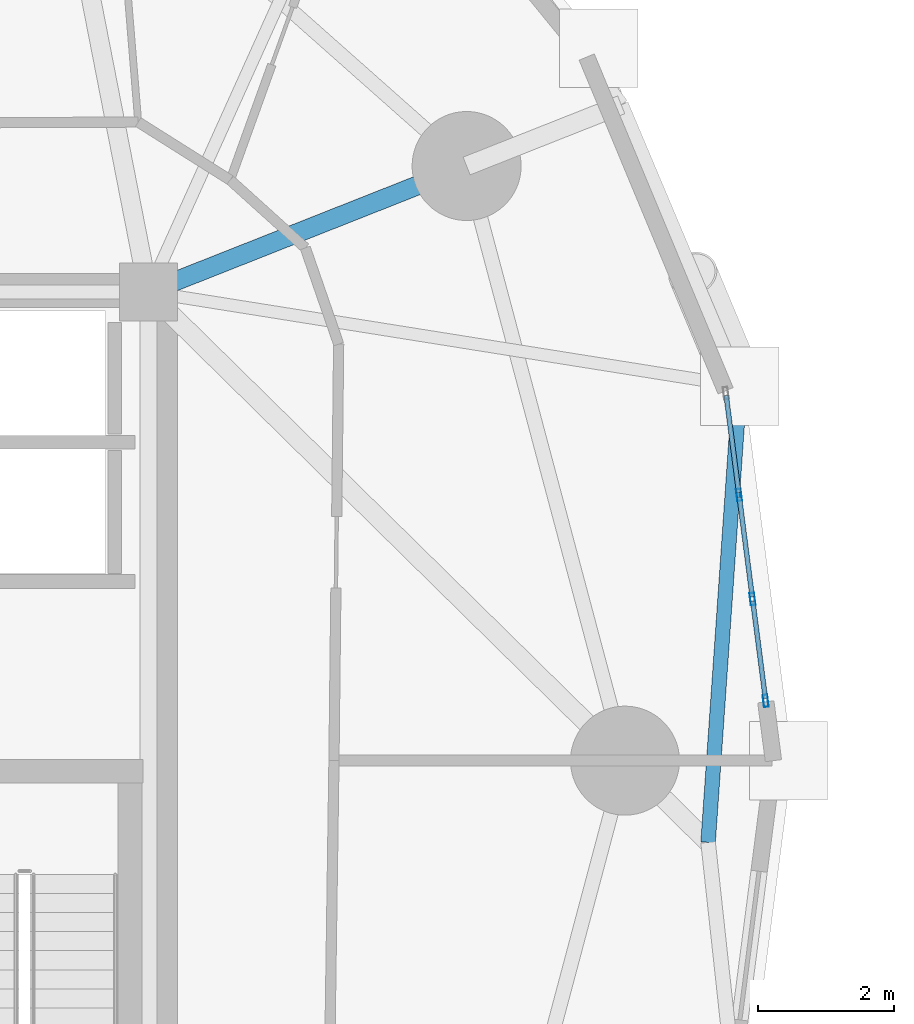
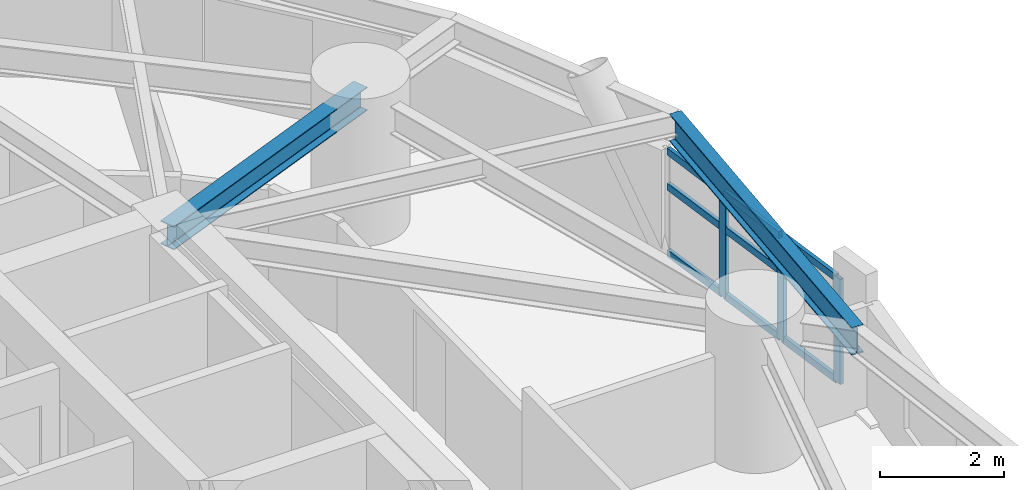
# One storey, part 3 of 18: 12 members, 2 beams, 1 element without a shape of its own.
"""IFC4 building model written with IfcOpenShell, lengths in metres."""

from ifc_helpers import new_model, si_unit, direction, frame, origin, origin_2d, place, context, subcontext, project, spatial, hollow_rectangle, i_section, extrude, material, layer, layer_set, material_profile, profile_set, type_object, element, aggregate, save


model = new_model("IFC4")

# Units and contexts
model_context = context("Model", 3, precision=1e-05, world=origin(), true_north=direction((0.0, 1.0)))
body_context = subcontext(model_context, "Body", "Model", "MODEL_VIEW")
ifc_project = project(units=[si_unit("LENGTHUNIT", "METRE"), si_unit("AREAUNIT", "SQUARE_METRE"), si_unit("VOLUMEUNIT", "CUBIC_METRE"), si_unit("PLANEANGLEUNIT", "RADIAN"), si_unit("MASSUNIT", "GRAM", prefix="KILO")], contexts=[model_context])

# Site, building, storey
site_placement = place(None, origin())
site = spatial("IfcSite", under=ifc_project, at=site_placement, CompositionType="ELEMENT")
building_placement = place(site_placement, origin())
building = spatial("IfcBuilding", under=site, at=building_placement, Name="Cununo Teusaquillo Station Towers", CompositionType="ELEMENT")
storey_placement = place(building_placement, frame((0.0, 0.0, 22.0)))
storey = spatial("IfcBuildingStorey", under=building, at=storey_placement, Name="L05", CompositionType="ELEMENT", Elevation=22.0)

# Beams
ifc_material_1 = material(Name="Steel ASTM A572 Grade 50", Category="steel")
ifc_material_profile_1 = material_profile(ifc_material_1, i_section(OverallWidth=0.280029296875, OverallDepth=0.462890625, WebThickness=0.0107421875, FlangeThickness=0.017333984375, FilletRadius=0.013916015625, at=origin_2d()), Name="W18X76")
ifc_profile_set_1 = profile_set([ifc_material_profile_1], Name="Steel ASTM A572 Grade 50")
beam_type_1 = type_object("IfcBeamType", Name="BM-RAD-G1", PredefinedType="BEAM", material=ifc_profile_set_1)
beam_1_placement = place(storey_placement, frame((21.675048828125, 31.3798828125, 2.41845703125), z_axis=(0.929864104313, 0.367903176814, 0.0), x_axis=(-0.367903176814, 0.929864104313, 0.0)))
element("IfcBeam", 1, at=beam_1_placement, inside=storey, type_object=beam_type_1, Name="L05 Tower A Radial Girder 02A", PredefinedType="BEAM", context=body_context, shape_type="SweptSolid", body=[
    extrude(i_section(OverallWidth=0.280029296875, OverallDepth=0.462890625, WebThickness=0.0107421875, FlangeThickness=0.017333984375, FilletRadius=0.013916015625, at=origin_2d()), origin(), (0.0, 0.0, 1.0), 5.02490234375),
])
ifc_material_2 = material(Name="Steel ASTM A572 Grade 50", Category="steel")
ifc_material_profile_2 = material_profile(ifc_material_2, i_section(OverallWidth=0.214111328125, OverallDepth=0.549072265625, WebThickness=0.0146484375, FlangeThickness=0.023681640625, FilletRadius=0.014892578125, at=origin_2d()), Name="W21X93")
ifc_profile_set_2 = profile_set([ifc_material_profile_2], Name="Steel ASTM A572 Grade 50")
beam_type_2 = type_object("IfcBeamType", Name="BM-RING-Z1", PredefinedType="SPANDREL", material=ifc_profile_set_2)
beam_2_placement = place(storey_placement, frame((29.891845703125, 23.30078125, 2.37548828125), z_axis=(0.069429919473, 0.99758683145, 0.0), x_axis=(-0.99758683145, 0.069429919473, 0.0)))
element("IfcBeam", 2, at=beam_2_placement, inside=storey, type_object=beam_type_2, Name="L05 Tower A Spandrel Ring Beam 01", PredefinedType="SPANDREL", context=body_context, shape_type="SweptSolid", body=[
    extrude(i_section(OverallWidth=0.214111328125, OverallDepth=0.549072265625, WebThickness=0.0146484375, FlangeThickness=0.023681640625, FilletRadius=0.014892578125, at=origin_2d()), origin(), (0.0, 0.0, 1.0), 6.712646484375),
])

# Curtain wall, members
ifc_material_3 = material(Name="Ceramic-fritted dark low-E double glazing", Category="glass")
ifc_layer = layer(ifc_material_3, 0.179931640625)
ifc_layer_set = layer_set([ifc_layer], Name="Ceramic-fritted dark low-E double glazing")
curtain_wall_type = type_object("IfcCurtainWallType", Name="CW-SYS-02", PredefinedType="USERDEFINED", material=ifc_layer_set)
curtain_wall_placement = place(storey_placement, origin())
curtain_wall = element("IfcCurtainWall", 3, at=curtain_wall_placement, inside=storey, type_object=curtain_wall_type, Name="L05 Tower A Facade Curtain Wall C00", ObjectType="FRITTED GLAZING", PredefinedType="USERDEFINED")
ifc_material_4 = material(Name="Anodised dark bronze aluminium EN AW-6063-T6", Category="aluminium")
ifc_material_profile_3 = material_profile(ifc_material_4, hollow_rectangle(XDim=0.070068359375, YDim=0.179931640625, WallThickness=0.00390625, at=origin_2d()), Name="CW-MULL-70x180")
ifc_profile_set_3 = profile_set([ifc_material_profile_3], Name="Anodised dark bronze aluminium EN AW-6063-T6")
member_type_1 = type_object("IfcMemberType", Name="CWM-180", PredefinedType="MULLION", material=ifc_profile_set_3)
member_1_placement = place(storey_placement, frame((30.346435546875, 28.400634765625, 0.0), z_axis=(0.0, 0.0, 1.0), x_axis=(0.991736471431, 0.128291742659, 0.0)))
member_1 = element("IfcMember", 4, at=member_1_placement, type_object=member_type_1, Name="CW-02 mullion 2", PredefinedType="MULLION", context=body_context, shape_type="SweptSolid", body=[
    extrude(hollow_rectangle(XDim=0.070068359375, YDim=0.179931640625, WallThickness=0.00390625, at=origin_2d()), origin(), (0.0, 0.0, 1.0), 2.072998046875),
])
member_2_placement = place(storey_placement, frame((30.544189453125, 26.871826171875, 0.0), z_axis=(0.0, 0.0, 1.0), x_axis=(0.991736471431, 0.128291742659, 0.0)))
member_2 = element("IfcMember", 5, at=member_2_placement, type_object=member_type_1, Name="CW-02 mullion 3", PredefinedType="MULLION", context=body_context, shape_type="SweptSolid", body=[
    extrude(hollow_rectangle(XDim=0.070068359375, YDim=0.179931640625, WallThickness=0.00390625, at=origin_2d()), origin(), (0.0, 0.0, 1.0), 2.072998046875),
])
member_3_placement = place(storey_placement, frame((30.7373046875, 25.377685546875, 0.0), z_axis=(0.0, 0.0, 1.0), x_axis=(0.991736471431, 0.128291742659, 0.0)))
member_3 = element("IfcMember", 6, at=member_3_placement, type_object=member_type_1, Name="CW-02 mullion 4", PredefinedType="MULLION", context=body_context, shape_type="SweptSolid", body=[
    extrude(hollow_rectangle(XDim=0.070068359375, YDim=0.179931640625, WallThickness=0.00390625, at=origin_2d()), origin(), (0.0, 0.0, 1.0), 2.072998046875),
])
ifc_material_5 = material(Name="Anodised dark bronze aluminium EN AW-6063-T6", Category="aluminium")
ifc_material_profile_4 = material_profile(ifc_material_5, hollow_rectangle(XDim=0.070068359375, YDim=0.139892578125, WallThickness=0.00390625, at=origin_2d()), Name="CW-TRAN-70x140")
ifc_profile_set_4 = profile_set([ifc_material_profile_4], Name="Anodised dark bronze aluminium EN AW-6063-T6")
member_type_2 = type_object("IfcMemberType", Name="CWT-140", PredefinedType="USERDEFINED", material=ifc_profile_set_4)
member_4_placement = place(storey_placement, frame((30.157470703125, 29.85986328125, 0.034912109375), z_axis=(0.128321866911, -0.991732574071, 0.0), x_axis=(0.991732574071, 0.128321866911, 0.0)))
member_4 = element("IfcMember", 7, at=member_4_placement, type_object=member_type_2, Name="CW-02 transom 1.1", ObjectType="TRANSOM", PredefinedType="USERDEFINED", context=body_context, shape_type="SweptSolid", body=[
    extrude(hollow_rectangle(XDim=0.070068359375, YDim=0.139892578125, WallThickness=0.00390625, at=origin_2d()), origin(), (0.0, 0.0, 1.0), 1.4365234375),
])
member_5_placement = place(storey_placement, frame((30.157470703125, 29.85986328125, 1.346923828125), z_axis=(0.128321866911, -0.991732574071, 0.0), x_axis=(0.991732574071, 0.128321866911, 0.0)))
member_5 = element("IfcMember", 8, at=member_5_placement, type_object=member_type_2, Name="CW-02 transom 1.2", ObjectType="TRANSOM", PredefinedType="USERDEFINED", context=body_context, shape_type="SweptSolid", body=[
    extrude(hollow_rectangle(XDim=0.070068359375, YDim=0.139892578125, WallThickness=0.00390625, at=origin_2d()), origin(), (0.0, 0.0, 1.0), 1.4365234375),
])
member_6_placement = place(storey_placement, frame((30.157470703125, 29.85986328125, 2.0380859375), z_axis=(0.128321866911, -0.991732574071, 0.0), x_axis=(0.991732574071, 0.128321866911, 0.0)))
member_6 = element("IfcMember", 9, at=member_6_placement, type_object=member_type_2, Name="CW-02 transom 1.3", ObjectType="TRANSOM", PredefinedType="USERDEFINED", context=body_context, shape_type="SweptSolid", body=[
    extrude(hollow_rectangle(XDim=0.070068359375, YDim=0.139892578125, WallThickness=0.00390625, at=origin_2d()), origin(), (0.0, 0.0, 1.0), 1.4365234375),
])
member_7_placement = place(storey_placement, frame((30.350830078125, 28.365966796875, 0.034912109375), z_axis=(0.128239793583, -0.991743190217, 0.0), x_axis=(0.991743190217, 0.128239793583, 0.0)))
member_7 = element("IfcMember", 10, at=member_7_placement, type_object=member_type_2, Name="CW-02 transom 2.1", ObjectType="TRANSOM", PredefinedType="USERDEFINED", context=body_context, shape_type="SweptSolid", body=[
    extrude(hollow_rectangle(XDim=0.070068359375, YDim=0.139892578125, WallThickness=0.00390625, at=origin_2d()), origin(), (0.0, 0.0, 1.0), 1.4716796875),
])
member_8_placement = place(storey_placement, frame((30.350830078125, 28.365966796875, 1.346923828125), z_axis=(0.128239793583, -0.991743190217, 0.0), x_axis=(0.991743190217, 0.128239793583, 0.0)))
member_8 = element("IfcMember", 11, at=member_8_placement, type_object=member_type_2, Name="CW-02 transom 2.2", ObjectType="TRANSOM", PredefinedType="USERDEFINED", context=body_context, shape_type="SweptSolid", body=[
    extrude(hollow_rectangle(XDim=0.070068359375, YDim=0.139892578125, WallThickness=0.00390625, at=origin_2d()), origin(), (0.0, 0.0, 1.0), 1.4716796875),
])
member_9_placement = place(storey_placement, frame((30.350830078125, 28.365966796875, 2.0380859375), z_axis=(0.128239793583, -0.991743190217, 0.0), x_axis=(0.991743190217, 0.128239793583, 0.0)))
member_9 = element("IfcMember", 12, at=member_9_placement, type_object=member_type_2, Name="CW-02 transom 2.3", ObjectType="TRANSOM", PredefinedType="USERDEFINED", context=body_context, shape_type="SweptSolid", body=[
    extrude(hollow_rectangle(XDim=0.070068359375, YDim=0.139892578125, WallThickness=0.00390625, at=origin_2d()), origin(), (0.0, 0.0, 1.0), 1.4716796875),
])
member_10_placement = place(storey_placement, frame((30.548583984375, 26.837158203125, 0.034912109375), z_axis=(0.128300240902, -0.991735372055, 0.0), x_axis=(0.991735372055, 0.128300240902, 0.0)))
member_10 = element("IfcMember", 13, at=member_10_placement, type_object=member_type_2, Name="CW-02 transom 3.1", ObjectType="TRANSOM", PredefinedType="USERDEFINED", context=body_context, shape_type="SweptSolid", body=[
    extrude(hollow_rectangle(XDim=0.070068359375, YDim=0.139892578125, WallThickness=0.00390625, at=origin_2d()), origin(), (0.0, 0.0, 1.0), 1.436767578125),
])
member_11_placement = place(storey_placement, frame((30.548583984375, 26.837158203125, 1.346923828125), z_axis=(0.128300240902, -0.991735372055, 0.0), x_axis=(0.991735372055, 0.128300240902, 0.0)))
member_11 = element("IfcMember", 14, at=member_11_placement, type_object=member_type_2, Name="CW-02 transom 3.2", ObjectType="TRANSOM", PredefinedType="USERDEFINED", context=body_context, shape_type="SweptSolid", body=[
    extrude(hollow_rectangle(XDim=0.070068359375, YDim=0.139892578125, WallThickness=0.00390625, at=origin_2d()), origin(), (0.0, 0.0, 1.0), 1.436767578125),
])
member_12_placement = place(storey_placement, frame((30.548583984375, 26.837158203125, 2.0380859375), z_axis=(0.128300240902, -0.991735372055, 0.0), x_axis=(0.991735372055, 0.128300240902, 0.0)))
member_12 = element("IfcMember", 15, at=member_12_placement, type_object=member_type_2, Name="CW-02 transom 3.3", ObjectType="TRANSOM", PredefinedType="USERDEFINED", context=body_context, shape_type="SweptSolid", body=[
    extrude(hollow_rectangle(XDim=0.070068359375, YDim=0.139892578125, WallThickness=0.00390625, at=origin_2d()), origin(), (0.0, 0.0, 1.0), 1.436767578125),
])
aggregate(curtain_wall, [member_1, member_2, member_3, member_4, member_5, member_6, member_7, member_8, member_9, member_10, member_11, member_12])

save(model, "model.ifc")
